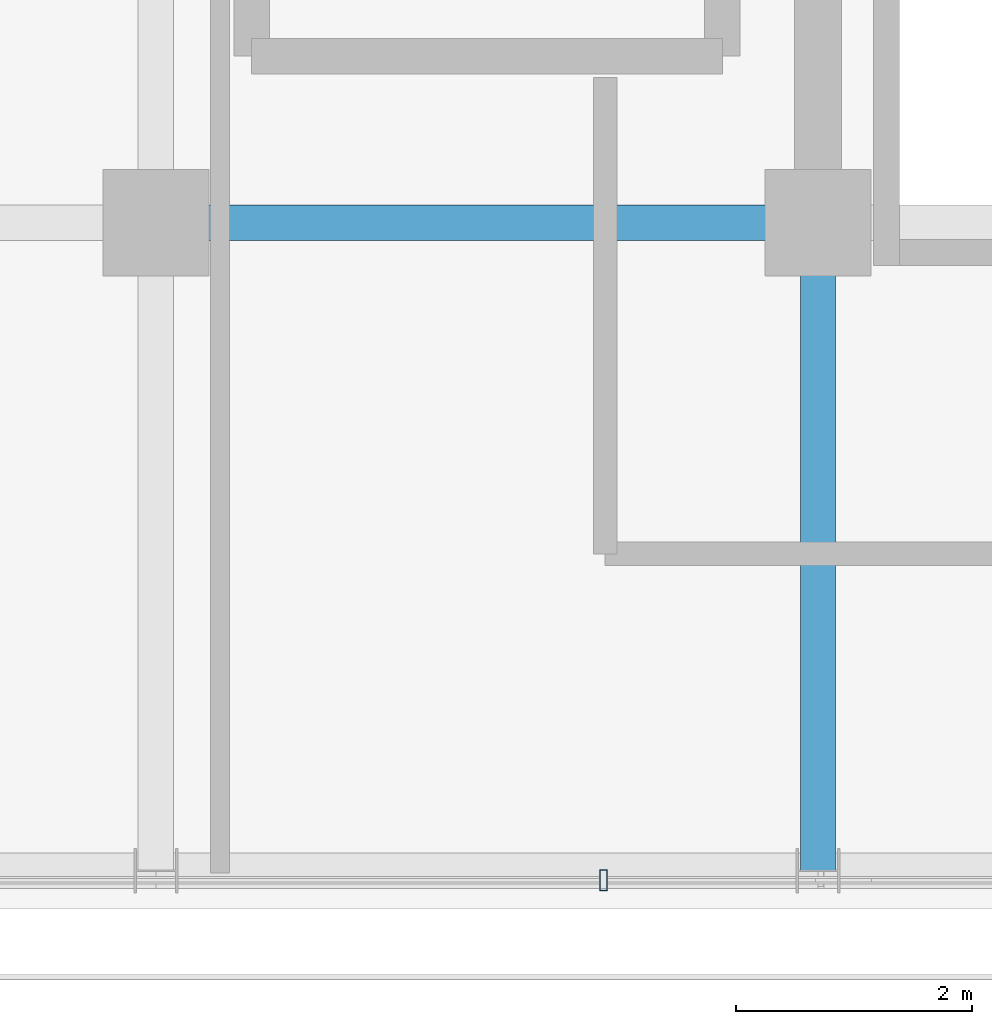
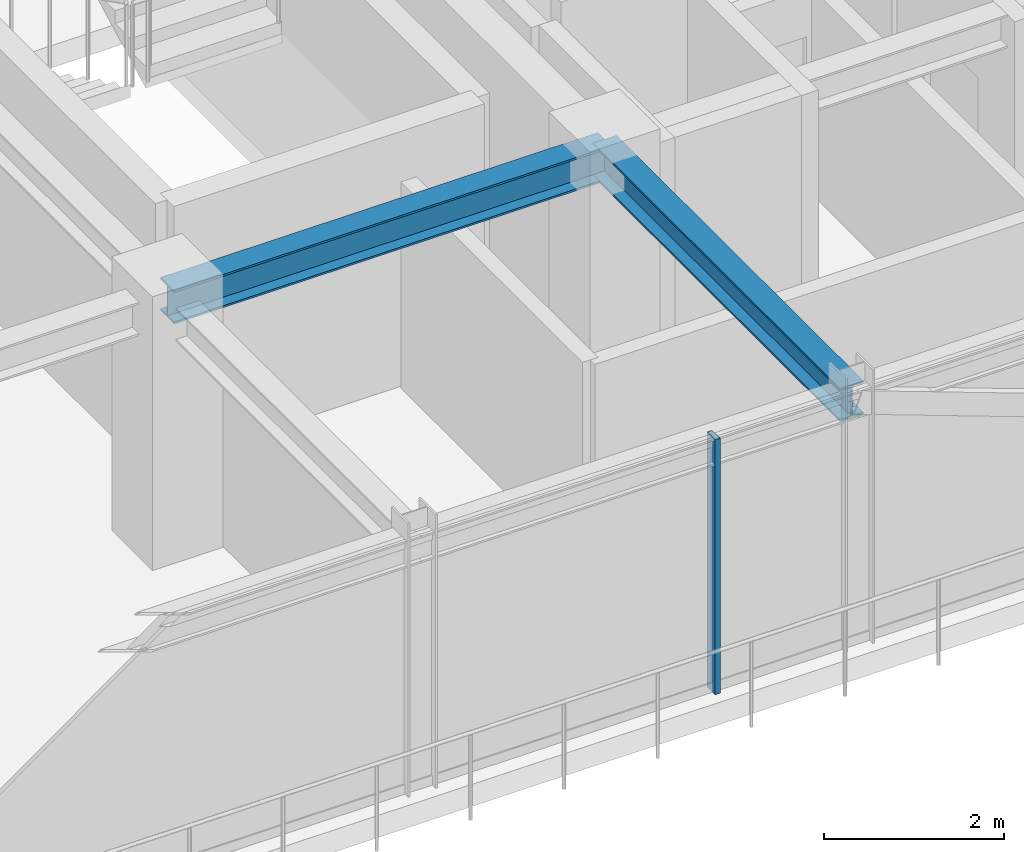
# One storey, part 8 of 32: 2 beams, 1 member, 1 element without a shape of its own.
"""IFC4 building model written with IfcOpenShell, lengths in metres."""

from ifc_helpers import new_model, si_unit, direction, frame, origin, origin_2d, place, context, subcontext, project, spatial, hollow_rectangle, i_section, extrude, source, transform, mapped, material, material_profile, profile_set, type_object, element, aggregate, save


model = new_model("IFC4")

# Units and contexts
model_context = context("Model", 3, precision=1e-05, world=origin(), true_north=direction((0.0, 1.0)))
body_context = subcontext(model_context, "Body", "Model", "MODEL_VIEW")
ifc_project = project(units=[si_unit("LENGTHUNIT", "METRE"), si_unit("AREAUNIT", "SQUARE_METRE"), si_unit("VOLUMEUNIT", "CUBIC_METRE"), si_unit("PLANEANGLEUNIT", "RADIAN"), si_unit("MASSUNIT", "GRAM", prefix="KILO")], contexts=[model_context])

# Site, building, storey
site_placement = place(None, origin())
site = spatial("IfcSite", under=ifc_project, at=site_placement, CompositionType="ELEMENT")
building_placement = place(site_placement, origin())
building = spatial("IfcBuilding", under=site, at=building_placement, Name="Nahalor Promenade Grand Hotel", CompositionType="ELEMENT")
storey_placement = place(building_placement, frame((0.0, 0.0, 266.300048828125)))
storey = spatial("IfcBuildingStorey", under=building, at=storey_placement, Name="L68", CompositionType="ELEMENT", Elevation=266.300048828125)

# Beams
ifc_material_1 = material(Name="Steel S355JR", Category="steel")
ifc_material_profile_1 = material_profile(ifc_material_1, i_section(OverallWidth=0.3, OverallDepth=0.45, WebThickness=0.014, FlangeThickness=0.026, at=origin_2d()), Name="HEB 450")
ifc_profile_set_1 = profile_set([ifc_material_profile_1], Name="Steel S355JR")
beam_type = type_object("IfcBeamType", Name="Beam-Girder-HEB450", PredefinedType="BEAM", material=ifc_profile_set_1)
shared_shape_1 = source(origin(), body_context, "Body", "SweptSolid", [
    extrude(i_section(OverallWidth=0.3, OverallDepth=0.45, WebThickness=0.014, FlangeThickness=0.026, at=origin_2d()), origin(), (0.0, 0.0, 1.0), 5.599853515625),
])
beam_1_placement = place(storey_placement, frame((2.800048828125, -17.0, 3.224853515625), z_axis=(1.0, 0.0, 0.0), x_axis=(0.0, 1.0, 0.0)))
element("IfcBeam", 1, at=beam_1_placement, inside=storey, type_object=beam_type, Name="BM-L68-GX-0-4", PredefinedType="BEAM", context=body_context, shape_type="MappedRepresentation", body=[
    mapped(shared_shape_1, transform((0.0, 0.0, 0.0), scale=1.0)),
])
shared_shape_2 = source(origin(), body_context, "Body", "SweptSolid", [
    extrude(i_section(OverallWidth=0.3, OverallDepth=0.45, WebThickness=0.014, FlangeThickness=0.026, at=origin_2d()), origin(), (0.0, 0.0, 1.0), 5.47998046875),
])
beam_2_placement = place(storey_placement, frame((8.39990234375, -22.47998046875, 3.224853515625), z_axis=(0.0, 1.0, 0.0), x_axis=(-1.0, 0.0, 0.0)))
element("IfcBeam", 2, at=beam_2_placement, inside=storey, type_object=beam_type, Name="BM-L68-GY-4-0", PredefinedType="BEAM", context=body_context, shape_type="MappedRepresentation", body=[
    mapped(shared_shape_2, transform((0.0, 0.0, 0.0), scale=1.0)),
])

# Curtain wall, member
ifc_material_2 = material(Name="Anodised Bronze Aluminium EN AW-6063 T6", Category="aluminium")
curtain_wall_type = type_object("IfcCurtainWallType", Name="CW2 Typical Hotel Flush Bronze Unitised Curtain Wall", PredefinedType="USERDEFINED", material=ifc_material_2)
curtain_wall_placement = place(storey_placement, origin())
curtain_wall = element("IfcCurtainWall", 3, at=curtain_wall_placement, inside=storey, type_object=curtain_wall_type, Name="L68 Curtain Wall CW-L68-S-1", ObjectType="UNITISED_CURTAIN_WALL", PredefinedType="USERDEFINED")
ifc_material_profile_2 = material_profile(ifc_material_2, hollow_rectangle(XDim=0.065, YDim=0.18, WallThickness=0.004, at=origin_2d()), Name="CWM 65x180x4")
ifc_profile_set_2 = profile_set([ifc_material_profile_2], Name="Anodised Bronze Aluminium EN AW-6063 T6")
member_type = type_object("IfcMemberType", Name="CWM2 Typical Bronze Mullion 65x180", PredefinedType="MULLION", material=ifc_profile_set_2)
shared_shape_3 = source(origin(), body_context, "Body", "SweptSolid", [
    extrude(hollow_rectangle(XDim=0.065, YDim=0.18, WallThickness=0.004, at=origin_2d()), origin(), (0.0, 0.0, 1.0), 3.449951171875),
])
member_placement = place(storey_placement, frame((6.586669921875, -22.56005859375, 0.0), z_axis=(0.0, 0.0, 1.0), x_axis=(1.0, 0.0, 0.0)))
member = element("IfcMember", 4, at=member_placement, type_object=member_type, Name="CW-L68-S-1 Mullion 2", PredefinedType="MULLION", context=body_context, shape_type="MappedRepresentation", body=[
    mapped(shared_shape_3, transform((0.0, 0.0, 0.0), scale=1.0)),
])
aggregate(curtain_wall, [member])

save(model, "model.ifc")
